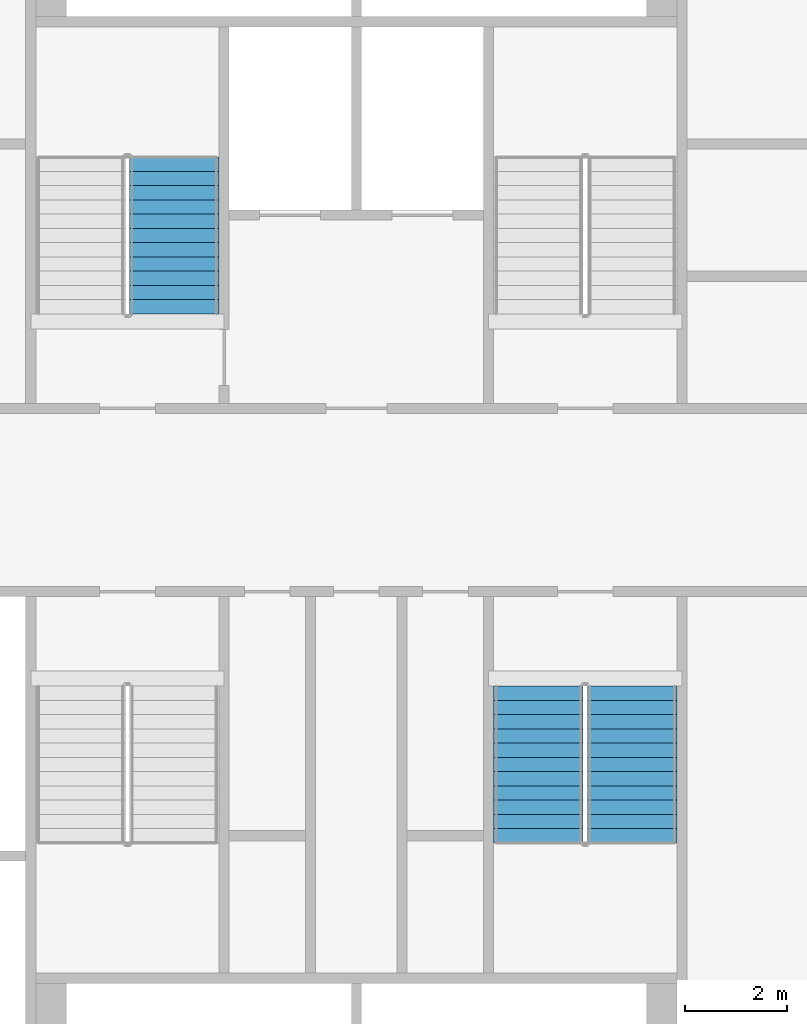
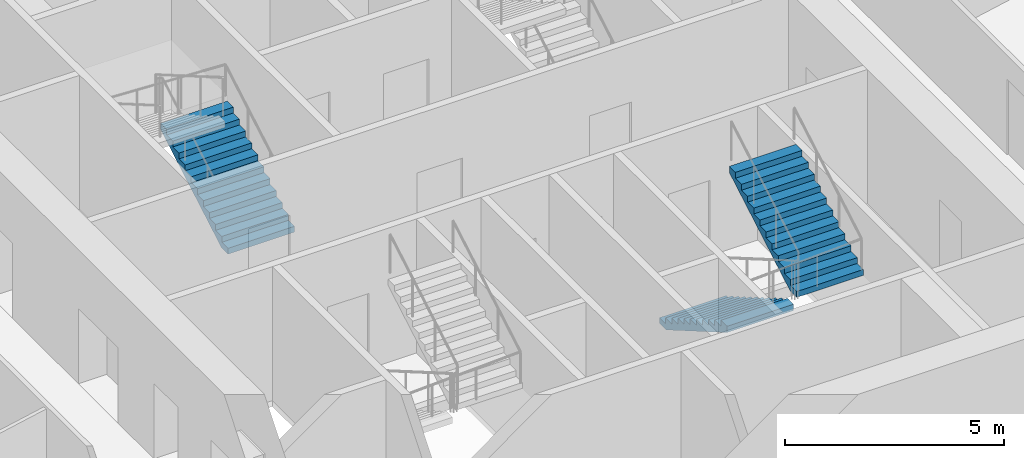
# One storey, part 15 of 22: 3 stair flights, 2 elements without a shape of their own.
"""IFC4 building model written with IfcOpenShell, lengths in metres."""

from ifc_helpers import new_model, si_unit, direction, frame, origin, place, context, subcontext, project, spatial, faceted_brep, material, type_object, element, aggregate, save


model = new_model("IFC4")

# Units and contexts
model_context = context("Model", 3, precision=1e-05, world=origin(), true_north=direction((0.0, 1.0)))
body_context = subcontext(model_context, "Body", "Model", "MODEL_VIEW")
ifc_project = project(units=[si_unit("LENGTHUNIT", "METRE"), si_unit("AREAUNIT", "SQUARE_METRE"), si_unit("VOLUMEUNIT", "CUBIC_METRE"), si_unit("PLANEANGLEUNIT", "RADIAN"), si_unit("MASSUNIT", "GRAM", prefix="KILO")], contexts=[model_context])

# Site, building, storey
site_placement = place(None, origin())
site = spatial("IfcSite", under=ifc_project, at=site_placement, CompositionType="ELEMENT")
building_placement = place(site_placement, origin())
building = spatial("IfcBuilding", under=site, at=building_placement, Name="Tarsis Ring Headquarters", CompositionType="ELEMENT")
storey_placement = place(building_placement, frame((0.0, 0.0, 108.39990234375)))
storey = spatial("IfcBuildingStorey", under=building, at=storey_placement, Name="L24", CompositionType="ELEMENT", Elevation=108.39990234375)

# Stair, stair flight
ifc_material_1 = material(Name="Core stair 1760")
stair_type = type_object("IfcStairType", Name="Core stair 1760", PredefinedType="HALF_TURN_STAIR", material=ifc_material_1)
stair_1_placement = place(storey_placement, origin())
stair_1 = element("IfcStair", 1, at=stair_1_placement, inside=storey, type_object=stair_type, Name="L24 Firefighting stair", PredefinedType="HALF_TURN_STAIR")
ifc_material_2 = material(Name="Concrete C40/50", Category="concrete")
stair_flight_type = type_object("IfcStairFlightType", Name="Core stair flight 1760", PredefinedType="STRAIGHT", material=ifc_material_2)
stair_flight_1_placement = place(storey_placement, frame((-3.580078125, 3.659912109375, 0.0), z_axis=(0.0, 0.0, 1.0), x_axis=(0.0, 1.0, 0.0)))
stair_flight_1 = element("IfcStairFlight", 2, at=stair_flight_1_placement, type_object=stair_flight_type, Name="Stair ST1 flight 1", NumberOfRisers=12, NumberOfTreads=11, PredefinedType="STRAIGHT", RiserHeight=0.1625, TreadLength=0.28, context=body_context, shape_type="Brep", body=[
    faceted_brep([(0.0, 0.8798828125, 0.0), (0.0, 0.8798828125, 0.16259765625), (0.280029296875, 0.8798828125, 0.16259765625), (0.280029296875, 0.8798828125, 0.324951171875), (0.56005859375, 0.8798828125, 0.324951171875), (0.56005859375, 0.8798828125, 0.487548828125), (0.840087890625, 0.8798828125, 0.487548828125), (0.840087890625, 0.8798828125, 0.64990234375), (1.1201171875, 0.8798828125, 0.64990234375), (1.1201171875, 0.8798828125, 0.8125), (1.39990234375, 0.8798828125, 0.8125), (1.39990234375, 0.8798828125, 0.97509765625), (1.679931640625, 0.8798828125, 0.97509765625), (1.679931640625, 0.8798828125, 1.137451171875), (1.9599609375, 0.8798828125, 1.137451171875), (1.9599609375, 0.8798828125, 1.300048828125), (2.239990234375, 0.8798828125, 1.300048828125), (2.239990234375, 0.8798828125, 1.46240234375), (2.52001953125, 0.8798828125, 1.46240234375), (2.52001953125, 0.8798828125, 1.625), (2.800048828125, 0.8798828125, 1.625), (2.800048828125, 0.8798828125, 1.78759765625), (3.080078125, 0.8798828125, 1.78759765625), (3.080078125, 0.8798828125, 1.6142578125), (0.298583984375, 0.8798828125, 0.0), (0.298583984375, -0.8798828125, 0.0), (3.080078125, -0.8798828125, 1.6142578125), (3.080078125, -0.8798828125, 1.78759765625), (2.800048828125, -0.8798828125, 1.78759765625), (2.800048828125, -0.8798828125, 1.625), (2.52001953125, -0.8798828125, 1.625), (2.52001953125, -0.8798828125, 1.46240234375), (2.239990234375, -0.8798828125, 1.46240234375), (2.239990234375, -0.8798828125, 1.300048828125), (1.9599609375, -0.8798828125, 1.300048828125), (1.9599609375, -0.8798828125, 1.137451171875), (1.679931640625, -0.8798828125, 1.137451171875), (1.679931640625, -0.8798828125, 0.97509765625), (1.39990234375, -0.8798828125, 0.97509765625), (1.39990234375, -0.8798828125, 0.8125), (1.1201171875, -0.8798828125, 0.8125), (1.1201171875, -0.8798828125, 0.64990234375), (0.840087890625, -0.8798828125, 0.64990234375), (0.840087890625, -0.8798828125, 0.487548828125), (0.56005859375, -0.8798828125, 0.487548828125), (0.56005859375, -0.8798828125, 0.324951171875), (0.280029296875, -0.8798828125, 0.324951171875), (0.280029296875, -0.8798828125, 0.16259765625), (0.0, -0.8798828125, 0.16259765625), (0.0, -0.8798828125, 0.0), (0.0, -0.43994140625, 0.16259765625), (0.0, -0.43994140625, 0.0), (0.0, 0.0, 0.16259765625), (0.0, 0.0, 0.0), (0.0, 0.43994140625, 0.16259765625), (0.0, 0.43994140625, 0.0), (0.280029296875, -0.43994140625, 0.16259765625), (0.280029296875, 0.0, 0.16259765625), (0.280029296875, 0.43994140625, 0.16259765625), (0.280029296875, -0.43994140625, 0.324951171875), (0.280029296875, 0.0, 0.324951171875), (0.280029296875, 0.43994140625, 0.324951171875), (0.56005859375, -0.43994140625, 0.324951171875), (0.56005859375, 0.0, 0.324951171875), (0.56005859375, 0.43994140625, 0.324951171875), (0.56005859375, -0.43994140625, 0.487548828125), (0.56005859375, 0.0, 0.487548828125), (0.56005859375, 0.43994140625, 0.487548828125), (0.840087890625, -0.43994140625, 0.487548828125), (0.840087890625, 0.0, 0.487548828125), (0.840087890625, 0.43994140625, 0.487548828125), (0.840087890625, -0.43994140625, 0.64990234375), (0.840087890625, 0.0, 0.64990234375), (0.840087890625, 0.43994140625, 0.64990234375), (1.1201171875, -0.43994140625, 0.64990234375), (1.1201171875, 0.0, 0.64990234375), (1.1201171875, 0.43994140625, 0.64990234375), (1.1201171875, -0.43994140625, 0.8125), (1.1201171875, 0.0, 0.8125), (1.1201171875, 0.43994140625, 0.8125), (1.39990234375, -0.43994140625, 0.8125), (1.39990234375, 0.0, 0.8125), (1.39990234375, 0.43994140625, 0.8125), (1.39990234375, -0.43994140625, 0.97509765625), (1.39990234375, 0.0, 0.97509765625), (1.39990234375, 0.43994140625, 0.97509765625), (1.679931640625, -0.43994140625, 0.97509765625), (1.679931640625, 0.0, 0.97509765625), (1.679931640625, 0.43994140625, 0.97509765625), (1.679931640625, -0.43994140625, 1.137451171875), (1.679931640625, 0.0, 1.137451171875), (1.679931640625, 0.43994140625, 1.137451171875), (1.9599609375, -0.43994140625, 1.137451171875), (1.9599609375, 0.0, 1.137451171875), (1.9599609375, 0.43994140625, 1.137451171875), (1.9599609375, -0.43994140625, 1.300048828125), (1.9599609375, 0.0, 1.300048828125), (1.9599609375, 0.43994140625, 1.300048828125), (2.239990234375, -0.43994140625, 1.300048828125), (2.239990234375, 0.0, 1.300048828125), (2.239990234375, 0.43994140625, 1.300048828125), (2.239990234375, -0.43994140625, 1.46240234375), (2.239990234375, 0.0, 1.46240234375), (2.239990234375, 0.43994140625, 1.46240234375), (2.52001953125, -0.43994140625, 1.46240234375), (2.52001953125, 0.0, 1.46240234375), (2.52001953125, 0.43994140625, 1.46240234375), (2.52001953125, -0.43994140625, 1.625), (2.52001953125, 0.0, 1.625), (2.52001953125, 0.43994140625, 1.625), (2.800048828125, -0.43994140625, 1.625), (2.800048828125, 0.0, 1.625), (2.800048828125, 0.43994140625, 1.625), (2.800048828125, -0.43994140625, 1.78759765625), (2.800048828125, 0.0, 1.78759765625), (2.800048828125, 0.43994140625, 1.78759765625), (3.080078125, -0.43994140625, 1.78759765625), (3.080078125, 0.0, 1.78759765625), (3.080078125, 0.43994140625, 1.78759765625), (3.080078125, -0.43994140625, 1.6142578125), (3.080078125, 0.0, 1.6142578125), (3.080078125, 0.43994140625, 1.6142578125), (0.298583984375, -0.43994140625, 0.0), (0.298583984375, 0.0, 0.0), (0.298583984375, 0.43994140625, 0.0)], [[[0, 1, 2, 3, 4, 5, 6, 7, 8, 9, 10, 11, 12, 13, 14, 15, 16, 17, 18, 19, 20, 21, 22, 23, 24]], [[25, 26, 27, 28, 29, 30, 31, 32, 33, 34, 35, 36, 37, 38, 39, 40, 41, 42, 43, 44, 45, 46, 47, 48, 49]], [[49, 48, 50, 51]], [[51, 50, 52, 53]], [[53, 52, 54, 55]], [[55, 54, 1, 0]], [[48, 47, 56, 50]], [[50, 56, 57, 52]], [[52, 57, 58, 54]], [[54, 58, 2, 1]], [[47, 46, 59, 56]], [[56, 59, 60, 57]], [[57, 60, 61, 58]], [[58, 61, 3, 2]], [[46, 45, 62, 59]], [[59, 62, 63, 60]], [[60, 63, 64, 61]], [[61, 64, 4, 3]], [[45, 44, 65, 62]], [[62, 65, 66, 63]], [[63, 66, 67, 64]], [[64, 67, 5, 4]], [[44, 43, 68, 65]], [[65, 68, 69, 66]], [[66, 69, 70, 67]], [[67, 70, 6, 5]], [[43, 42, 71, 68]], [[68, 71, 72, 69]], [[69, 72, 73, 70]], [[70, 73, 7, 6]], [[42, 41, 74, 71]], [[71, 74, 75, 72]], [[72, 75, 76, 73]], [[73, 76, 8, 7]], [[41, 40, 77, 74]], [[74, 77, 78, 75]], [[75, 78, 79, 76]], [[76, 79, 9, 8]], [[40, 39, 80, 77]], [[77, 80, 81, 78]], [[78, 81, 82, 79]], [[79, 82, 10, 9]], [[39, 38, 83, 80]], [[80, 83, 84, 81]], [[81, 84, 85, 82]], [[82, 85, 11, 10]], [[38, 37, 86, 83]], [[83, 86, 87, 84]], [[84, 87, 88, 85]], [[85, 88, 12, 11]], [[37, 36, 89, 86]], [[86, 89, 90, 87]], [[87, 90, 91, 88]], [[88, 91, 13, 12]], [[36, 35, 92, 89]], [[89, 92, 93, 90]], [[90, 93, 94, 91]], [[91, 94, 14, 13]], [[35, 34, 95, 92]], [[92, 95, 96, 93]], [[93, 96, 97, 94]], [[94, 97, 15, 14]], [[34, 33, 98, 95]], [[95, 98, 99, 96]], [[96, 99, 100, 97]], [[97, 100, 16, 15]], [[33, 32, 101, 98]], [[98, 101, 102, 99]], [[99, 102, 103, 100]], [[100, 103, 17, 16]], [[32, 31, 104, 101]], [[101, 104, 105, 102]], [[102, 105, 106, 103]], [[103, 106, 18, 17]], [[31, 30, 107, 104]], [[104, 107, 108, 105]], [[105, 108, 109, 106]], [[106, 109, 19, 18]], [[30, 29, 110, 107]], [[107, 110, 111, 108]], [[108, 111, 112, 109]], [[109, 112, 20, 19]], [[29, 28, 113, 110]], [[110, 113, 114, 111]], [[111, 114, 115, 112]], [[112, 115, 21, 20]], [[28, 27, 116, 113]], [[113, 116, 117, 114]], [[114, 117, 118, 115]], [[115, 118, 22, 21]], [[27, 26, 119, 116]], [[116, 119, 120, 117]], [[117, 120, 121, 118]], [[118, 121, 23, 22]], [[26, 25, 122, 119]], [[119, 122, 123, 120]], [[120, 123, 124, 121]], [[121, 124, 24, 23]], [[25, 49, 51, 122]], [[122, 51, 53, 123]], [[123, 53, 55, 124]], [[124, 55, 0, 24]]]),
])
aggregate(stair_1, [stair_flight_1])

# Stair, stair flights
stair_2_placement = place(storey_placement, origin())
stair_2 = element("IfcStair", 3, at=stair_2_placement, inside=storey, type_object=stair_type, Name="L24 Exit stair D", PredefinedType="HALF_TURN_STAIR")
stair_flight_2_placement = place(storey_placement, frame((3.580078125, -3.659912109375, 0.0), z_axis=(0.0, 0.0, 1.0), x_axis=(0.0, -1.0, 0.0)))
stair_flight_2 = element("IfcStairFlight", 4, at=stair_flight_2_placement, type_object=stair_flight_type, Name="Stair ST4 flight 1", NumberOfRisers=12, NumberOfTreads=11, PredefinedType="STRAIGHT", RiserHeight=0.1625, TreadLength=0.28, context=body_context, shape_type="Brep", body=[
    faceted_brep([(0.0, 0.8798828125, 0.0), (0.0, 0.8798828125, 0.16259765625), (0.280029296875, 0.8798828125, 0.16259765625), (0.280029296875, 0.8798828125, 0.324951171875), (0.56005859375, 0.8798828125, 0.324951171875), (0.56005859375, 0.8798828125, 0.487548828125), (0.840087890625, 0.8798828125, 0.487548828125), (0.840087890625, 0.8798828125, 0.64990234375), (1.1201171875, 0.8798828125, 0.64990234375), (1.1201171875, 0.8798828125, 0.8125), (1.39990234375, 0.8798828125, 0.8125), (1.39990234375, 0.8798828125, 0.97509765625), (1.679931640625, 0.8798828125, 0.97509765625), (1.679931640625, 0.8798828125, 1.137451171875), (1.9599609375, 0.8798828125, 1.137451171875), (1.9599609375, 0.8798828125, 1.300048828125), (2.239990234375, 0.8798828125, 1.300048828125), (2.239990234375, 0.8798828125, 1.46240234375), (2.52001953125, 0.8798828125, 1.46240234375), (2.52001953125, 0.8798828125, 1.625), (2.800048828125, 0.8798828125, 1.625), (2.800048828125, 0.8798828125, 1.78759765625), (3.080078125, 0.8798828125, 1.78759765625), (3.080078125, 0.8798828125, 1.6142578125), (0.298583984375, 0.8798828125, 0.0), (0.298583984375, -0.8798828125, 0.0), (3.080078125, -0.8798828125, 1.6142578125), (3.080078125, -0.8798828125, 1.78759765625), (2.800048828125, -0.8798828125, 1.78759765625), (2.800048828125, -0.8798828125, 1.625), (2.52001953125, -0.8798828125, 1.625), (2.52001953125, -0.8798828125, 1.46240234375), (2.239990234375, -0.8798828125, 1.46240234375), (2.239990234375, -0.8798828125, 1.300048828125), (1.9599609375, -0.8798828125, 1.300048828125), (1.9599609375, -0.8798828125, 1.137451171875), (1.679931640625, -0.8798828125, 1.137451171875), (1.679931640625, -0.8798828125, 0.97509765625), (1.39990234375, -0.8798828125, 0.97509765625), (1.39990234375, -0.8798828125, 0.8125), (1.1201171875, -0.8798828125, 0.8125), (1.1201171875, -0.8798828125, 0.64990234375), (0.840087890625, -0.8798828125, 0.64990234375), (0.840087890625, -0.8798828125, 0.487548828125), (0.56005859375, -0.8798828125, 0.487548828125), (0.56005859375, -0.8798828125, 0.324951171875), (0.280029296875, -0.8798828125, 0.324951171875), (0.280029296875, -0.8798828125, 0.16259765625), (0.0, -0.8798828125, 0.16259765625), (0.0, -0.8798828125, 0.0), (0.0, -0.43994140625, 0.16259765625), (0.0, -0.43994140625, 0.0), (0.0, 0.0, 0.16259765625), (0.0, 0.0, 0.0), (0.0, 0.43994140625, 0.16259765625), (0.0, 0.43994140625, 0.0), (0.280029296875, -0.43994140625, 0.16259765625), (0.280029296875, 0.0, 0.16259765625), (0.280029296875, 0.43994140625, 0.16259765625), (0.280029296875, -0.43994140625, 0.324951171875), (0.280029296875, 0.0, 0.324951171875), (0.280029296875, 0.43994140625, 0.324951171875), (0.56005859375, -0.43994140625, 0.324951171875), (0.56005859375, 0.0, 0.324951171875), (0.56005859375, 0.43994140625, 0.324951171875), (0.56005859375, -0.43994140625, 0.487548828125), (0.56005859375, 0.0, 0.487548828125), (0.56005859375, 0.43994140625, 0.487548828125), (0.840087890625, -0.43994140625, 0.487548828125), (0.840087890625, 0.0, 0.487548828125), (0.840087890625, 0.43994140625, 0.487548828125), (0.840087890625, -0.43994140625, 0.64990234375), (0.840087890625, 0.0, 0.64990234375), (0.840087890625, 0.43994140625, 0.64990234375), (1.1201171875, -0.43994140625, 0.64990234375), (1.1201171875, 0.0, 0.64990234375), (1.1201171875, 0.43994140625, 0.64990234375), (1.1201171875, -0.43994140625, 0.8125), (1.1201171875, 0.0, 0.8125), (1.1201171875, 0.43994140625, 0.8125), (1.39990234375, -0.43994140625, 0.8125), (1.39990234375, 0.0, 0.8125), (1.39990234375, 0.43994140625, 0.8125), (1.39990234375, -0.43994140625, 0.97509765625), (1.39990234375, 0.0, 0.97509765625), (1.39990234375, 0.43994140625, 0.97509765625), (1.679931640625, -0.43994140625, 0.97509765625), (1.679931640625, 0.0, 0.97509765625), (1.679931640625, 0.43994140625, 0.97509765625), (1.679931640625, -0.43994140625, 1.137451171875), (1.679931640625, 0.0, 1.137451171875), (1.679931640625, 0.43994140625, 1.137451171875), (1.9599609375, -0.43994140625, 1.137451171875), (1.9599609375, 0.0, 1.137451171875), (1.9599609375, 0.43994140625, 1.137451171875), (1.9599609375, -0.43994140625, 1.300048828125), (1.9599609375, 0.0, 1.300048828125), (1.9599609375, 0.43994140625, 1.300048828125), (2.239990234375, -0.43994140625, 1.300048828125), (2.239990234375, 0.0, 1.300048828125), (2.239990234375, 0.43994140625, 1.300048828125), (2.239990234375, -0.43994140625, 1.46240234375), (2.239990234375, 0.0, 1.46240234375), (2.239990234375, 0.43994140625, 1.46240234375), (2.52001953125, -0.43994140625, 1.46240234375), (2.52001953125, 0.0, 1.46240234375), (2.52001953125, 0.43994140625, 1.46240234375), (2.52001953125, -0.43994140625, 1.625), (2.52001953125, 0.0, 1.625), (2.52001953125, 0.43994140625, 1.625), (2.800048828125, -0.43994140625, 1.625), (2.800048828125, 0.0, 1.625), (2.800048828125, 0.43994140625, 1.625), (2.800048828125, -0.43994140625, 1.78759765625), (2.800048828125, 0.0, 1.78759765625), (2.800048828125, 0.43994140625, 1.78759765625), (3.080078125, -0.43994140625, 1.78759765625), (3.080078125, 0.0, 1.78759765625), (3.080078125, 0.43994140625, 1.78759765625), (3.080078125, -0.43994140625, 1.6142578125), (3.080078125, 0.0, 1.6142578125), (3.080078125, 0.43994140625, 1.6142578125), (0.298583984375, -0.43994140625, 0.0), (0.298583984375, 0.0, 0.0), (0.298583984375, 0.43994140625, 0.0)], [[[0, 1, 2, 3, 4, 5, 6, 7, 8, 9, 10, 11, 12, 13, 14, 15, 16, 17, 18, 19, 20, 21, 22, 23, 24]], [[25, 26, 27, 28, 29, 30, 31, 32, 33, 34, 35, 36, 37, 38, 39, 40, 41, 42, 43, 44, 45, 46, 47, 48, 49]], [[49, 48, 50, 51]], [[51, 50, 52, 53]], [[53, 52, 54, 55]], [[55, 54, 1, 0]], [[48, 47, 56, 50]], [[50, 56, 57, 52]], [[52, 57, 58, 54]], [[54, 58, 2, 1]], [[47, 46, 59, 56]], [[56, 59, 60, 57]], [[57, 60, 61, 58]], [[58, 61, 3, 2]], [[46, 45, 62, 59]], [[59, 62, 63, 60]], [[60, 63, 64, 61]], [[61, 64, 4, 3]], [[45, 44, 65, 62]], [[62, 65, 66, 63]], [[63, 66, 67, 64]], [[64, 67, 5, 4]], [[44, 43, 68, 65]], [[65, 68, 69, 66]], [[66, 69, 70, 67]], [[67, 70, 6, 5]], [[43, 42, 71, 68]], [[68, 71, 72, 69]], [[69, 72, 73, 70]], [[70, 73, 7, 6]], [[42, 41, 74, 71]], [[71, 74, 75, 72]], [[72, 75, 76, 73]], [[73, 76, 8, 7]], [[41, 40, 77, 74]], [[74, 77, 78, 75]], [[75, 78, 79, 76]], [[76, 79, 9, 8]], [[40, 39, 80, 77]], [[77, 80, 81, 78]], [[78, 81, 82, 79]], [[79, 82, 10, 9]], [[39, 38, 83, 80]], [[80, 83, 84, 81]], [[81, 84, 85, 82]], [[82, 85, 11, 10]], [[38, 37, 86, 83]], [[83, 86, 87, 84]], [[84, 87, 88, 85]], [[85, 88, 12, 11]], [[37, 36, 89, 86]], [[86, 89, 90, 87]], [[87, 90, 91, 88]], [[88, 91, 13, 12]], [[36, 35, 92, 89]], [[89, 92, 93, 90]], [[90, 93, 94, 91]], [[91, 94, 14, 13]], [[35, 34, 95, 92]], [[92, 95, 96, 93]], [[93, 96, 97, 94]], [[94, 97, 15, 14]], [[34, 33, 98, 95]], [[95, 98, 99, 96]], [[96, 99, 100, 97]], [[97, 100, 16, 15]], [[33, 32, 101, 98]], [[98, 101, 102, 99]], [[99, 102, 103, 100]], [[100, 103, 17, 16]], [[32, 31, 104, 101]], [[101, 104, 105, 102]], [[102, 105, 106, 103]], [[103, 106, 18, 17]], [[31, 30, 107, 104]], [[104, 107, 108, 105]], [[105, 108, 109, 106]], [[106, 109, 19, 18]], [[30, 29, 110, 107]], [[107, 110, 111, 108]], [[108, 111, 112, 109]], [[109, 112, 20, 19]], [[29, 28, 113, 110]], [[110, 113, 114, 111]], [[111, 114, 115, 112]], [[112, 115, 21, 20]], [[28, 27, 116, 113]], [[113, 116, 117, 114]], [[114, 117, 118, 115]], [[115, 118, 22, 21]], [[27, 26, 119, 116]], [[116, 119, 120, 117]], [[117, 120, 121, 118]], [[118, 121, 23, 22]], [[26, 25, 122, 119]], [[119, 122, 123, 120]], [[120, 123, 124, 121]], [[121, 124, 24, 23]], [[25, 49, 51, 122]], [[122, 51, 53, 123]], [[123, 53, 55, 124]], [[124, 55, 0, 24]]]),
])
stair_flight_3_placement = place(storey_placement, frame((5.419921875, -6.739990234375, 1.9501953125), z_axis=(0.0, 0.0, 1.0), x_axis=(0.0, 1.0, 0.0)))
stair_flight_3 = element("IfcStairFlight", 5, at=stair_flight_3_placement, type_object=stair_flight_type, Name="Stair ST4 flight 2", NumberOfRisers=12, NumberOfTreads=11, PredefinedType="STRAIGHT", RiserHeight=0.1625, TreadLength=0.28, context=body_context, shape_type="Brep", body=[
    faceted_brep([(0.0, 0.8798828125, 0.0), (0.0, 0.8798828125, 0.16259765625), (0.280029296875, 0.8798828125, 0.16259765625), (0.280029296875, 0.8798828125, 0.324951171875), (0.56005859375, 0.8798828125, 0.324951171875), (0.56005859375, 0.8798828125, 0.487548828125), (0.840087890625, 0.8798828125, 0.487548828125), (0.840087890625, 0.8798828125, 0.64990234375), (1.1201171875, 0.8798828125, 0.64990234375), (1.1201171875, 0.8798828125, 0.8125), (1.39990234375, 0.8798828125, 0.8125), (1.39990234375, 0.8798828125, 0.97509765625), (1.679931640625, 0.8798828125, 0.97509765625), (1.679931640625, 0.8798828125, 1.137451171875), (1.9599609375, 0.8798828125, 1.137451171875), (1.9599609375, 0.8798828125, 1.300048828125), (2.239990234375, 0.8798828125, 1.300048828125), (2.239990234375, 0.8798828125, 1.46240234375), (2.52001953125, 0.8798828125, 1.46240234375), (2.52001953125, 0.8798828125, 1.625), (2.800048828125, 0.8798828125, 1.625), (2.800048828125, 0.8798828125, 1.78759765625), (3.080078125, 0.8798828125, 1.78759765625), (3.080078125, 0.8798828125, 1.6142578125), (0.298583984375, 0.8798828125, 0.0), (0.298583984375, -0.8798828125, 0.0), (3.080078125, -0.8798828125, 1.6142578125), (3.080078125, -0.8798828125, 1.78759765625), (2.800048828125, -0.8798828125, 1.78759765625), (2.800048828125, -0.8798828125, 1.625), (2.52001953125, -0.8798828125, 1.625), (2.52001953125, -0.8798828125, 1.46240234375), (2.239990234375, -0.8798828125, 1.46240234375), (2.239990234375, -0.8798828125, 1.300048828125), (1.9599609375, -0.8798828125, 1.300048828125), (1.9599609375, -0.8798828125, 1.137451171875), (1.679931640625, -0.8798828125, 1.137451171875), (1.679931640625, -0.8798828125, 0.97509765625), (1.39990234375, -0.8798828125, 0.97509765625), (1.39990234375, -0.8798828125, 0.8125), (1.1201171875, -0.8798828125, 0.8125), (1.1201171875, -0.8798828125, 0.64990234375), (0.840087890625, -0.8798828125, 0.64990234375), (0.840087890625, -0.8798828125, 0.487548828125), (0.56005859375, -0.8798828125, 0.487548828125), (0.56005859375, -0.8798828125, 0.324951171875), (0.280029296875, -0.8798828125, 0.324951171875), (0.280029296875, -0.8798828125, 0.16259765625), (0.0, -0.8798828125, 0.16259765625), (0.0, -0.8798828125, 0.0), (0.0, -0.43994140625, 0.16259765625), (0.0, -0.43994140625, 0.0), (0.0, 0.0, 0.16259765625), (0.0, 0.0, 0.0), (0.0, 0.43994140625, 0.16259765625), (0.0, 0.43994140625, 0.0), (0.280029296875, -0.43994140625, 0.16259765625), (0.280029296875, 0.0, 0.16259765625), (0.280029296875, 0.43994140625, 0.16259765625), (0.280029296875, -0.43994140625, 0.324951171875), (0.280029296875, 0.0, 0.324951171875), (0.280029296875, 0.43994140625, 0.324951171875), (0.56005859375, -0.43994140625, 0.324951171875), (0.56005859375, 0.0, 0.324951171875), (0.56005859375, 0.43994140625, 0.324951171875), (0.56005859375, -0.43994140625, 0.487548828125), (0.56005859375, 0.0, 0.487548828125), (0.56005859375, 0.43994140625, 0.487548828125), (0.840087890625, -0.43994140625, 0.487548828125), (0.840087890625, 0.0, 0.487548828125), (0.840087890625, 0.43994140625, 0.487548828125), (0.840087890625, -0.43994140625, 0.64990234375), (0.840087890625, 0.0, 0.64990234375), (0.840087890625, 0.43994140625, 0.64990234375), (1.1201171875, -0.43994140625, 0.64990234375), (1.1201171875, 0.0, 0.64990234375), (1.1201171875, 0.43994140625, 0.64990234375), (1.1201171875, -0.43994140625, 0.8125), (1.1201171875, 0.0, 0.8125), (1.1201171875, 0.43994140625, 0.8125), (1.39990234375, -0.43994140625, 0.8125), (1.39990234375, 0.0, 0.8125), (1.39990234375, 0.43994140625, 0.8125), (1.39990234375, -0.43994140625, 0.97509765625), (1.39990234375, 0.0, 0.97509765625), (1.39990234375, 0.43994140625, 0.97509765625), (1.679931640625, -0.43994140625, 0.97509765625), (1.679931640625, 0.0, 0.97509765625), (1.679931640625, 0.43994140625, 0.97509765625), (1.679931640625, -0.43994140625, 1.137451171875), (1.679931640625, 0.0, 1.137451171875), (1.679931640625, 0.43994140625, 1.137451171875), (1.9599609375, -0.43994140625, 1.137451171875), (1.9599609375, 0.0, 1.137451171875), (1.9599609375, 0.43994140625, 1.137451171875), (1.9599609375, -0.43994140625, 1.300048828125), (1.9599609375, 0.0, 1.300048828125), (1.9599609375, 0.43994140625, 1.300048828125), (2.239990234375, -0.43994140625, 1.300048828125), (2.239990234375, 0.0, 1.300048828125), (2.239990234375, 0.43994140625, 1.300048828125), (2.239990234375, -0.43994140625, 1.46240234375), (2.239990234375, 0.0, 1.46240234375), (2.239990234375, 0.43994140625, 1.46240234375), (2.52001953125, -0.43994140625, 1.46240234375), (2.52001953125, 0.0, 1.46240234375), (2.52001953125, 0.43994140625, 1.46240234375), (2.52001953125, -0.43994140625, 1.625), (2.52001953125, 0.0, 1.625), (2.52001953125, 0.43994140625, 1.625), (2.800048828125, -0.43994140625, 1.625), (2.800048828125, 0.0, 1.625), (2.800048828125, 0.43994140625, 1.625), (2.800048828125, -0.43994140625, 1.78759765625), (2.800048828125, 0.0, 1.78759765625), (2.800048828125, 0.43994140625, 1.78759765625), (3.080078125, -0.43994140625, 1.78759765625), (3.080078125, 0.0, 1.78759765625), (3.080078125, 0.43994140625, 1.78759765625), (3.080078125, -0.43994140625, 1.6142578125), (3.080078125, 0.0, 1.6142578125), (3.080078125, 0.43994140625, 1.6142578125), (0.298583984375, -0.43994140625, 0.0), (0.298583984375, 0.0, 0.0), (0.298583984375, 0.43994140625, 0.0)], [[[0, 1, 2, 3, 4, 5, 6, 7, 8, 9, 10, 11, 12, 13, 14, 15, 16, 17, 18, 19, 20, 21, 22, 23, 24]], [[25, 26, 27, 28, 29, 30, 31, 32, 33, 34, 35, 36, 37, 38, 39, 40, 41, 42, 43, 44, 45, 46, 47, 48, 49]], [[49, 48, 50, 51]], [[51, 50, 52, 53]], [[53, 52, 54, 55]], [[55, 54, 1, 0]], [[48, 47, 56, 50]], [[50, 56, 57, 52]], [[52, 57, 58, 54]], [[54, 58, 2, 1]], [[47, 46, 59, 56]], [[56, 59, 60, 57]], [[57, 60, 61, 58]], [[58, 61, 3, 2]], [[46, 45, 62, 59]], [[59, 62, 63, 60]], [[60, 63, 64, 61]], [[61, 64, 4, 3]], [[45, 44, 65, 62]], [[62, 65, 66, 63]], [[63, 66, 67, 64]], [[64, 67, 5, 4]], [[44, 43, 68, 65]], [[65, 68, 69, 66]], [[66, 69, 70, 67]], [[67, 70, 6, 5]], [[43, 42, 71, 68]], [[68, 71, 72, 69]], [[69, 72, 73, 70]], [[70, 73, 7, 6]], [[42, 41, 74, 71]], [[71, 74, 75, 72]], [[72, 75, 76, 73]], [[73, 76, 8, 7]], [[41, 40, 77, 74]], [[74, 77, 78, 75]], [[75, 78, 79, 76]], [[76, 79, 9, 8]], [[40, 39, 80, 77]], [[77, 80, 81, 78]], [[78, 81, 82, 79]], [[79, 82, 10, 9]], [[39, 38, 83, 80]], [[80, 83, 84, 81]], [[81, 84, 85, 82]], [[82, 85, 11, 10]], [[38, 37, 86, 83]], [[83, 86, 87, 84]], [[84, 87, 88, 85]], [[85, 88, 12, 11]], [[37, 36, 89, 86]], [[86, 89, 90, 87]], [[87, 90, 91, 88]], [[88, 91, 13, 12]], [[36, 35, 92, 89]], [[89, 92, 93, 90]], [[90, 93, 94, 91]], [[91, 94, 14, 13]], [[35, 34, 95, 92]], [[92, 95, 96, 93]], [[93, 96, 97, 94]], [[94, 97, 15, 14]], [[34, 33, 98, 95]], [[95, 98, 99, 96]], [[96, 99, 100, 97]], [[97, 100, 16, 15]], [[33, 32, 101, 98]], [[98, 101, 102, 99]], [[99, 102, 103, 100]], [[100, 103, 17, 16]], [[32, 31, 104, 101]], [[101, 104, 105, 102]], [[102, 105, 106, 103]], [[103, 106, 18, 17]], [[31, 30, 107, 104]], [[104, 107, 108, 105]], [[105, 108, 109, 106]], [[106, 109, 19, 18]], [[30, 29, 110, 107]], [[107, 110, 111, 108]], [[108, 111, 112, 109]], [[109, 112, 20, 19]], [[29, 28, 113, 110]], [[110, 113, 114, 111]], [[111, 114, 115, 112]], [[112, 115, 21, 20]], [[28, 27, 116, 113]], [[113, 116, 117, 114]], [[114, 117, 118, 115]], [[115, 118, 22, 21]], [[27, 26, 119, 116]], [[116, 119, 120, 117]], [[117, 120, 121, 118]], [[118, 121, 23, 22]], [[26, 25, 122, 119]], [[119, 122, 123, 120]], [[120, 123, 124, 121]], [[121, 124, 24, 23]], [[25, 49, 51, 122]], [[122, 51, 53, 123]], [[123, 53, 55, 124]], [[124, 55, 0, 24]]]),
])
aggregate(stair_2, [stair_flight_2, stair_flight_3])

save(model, "model.ifc")
